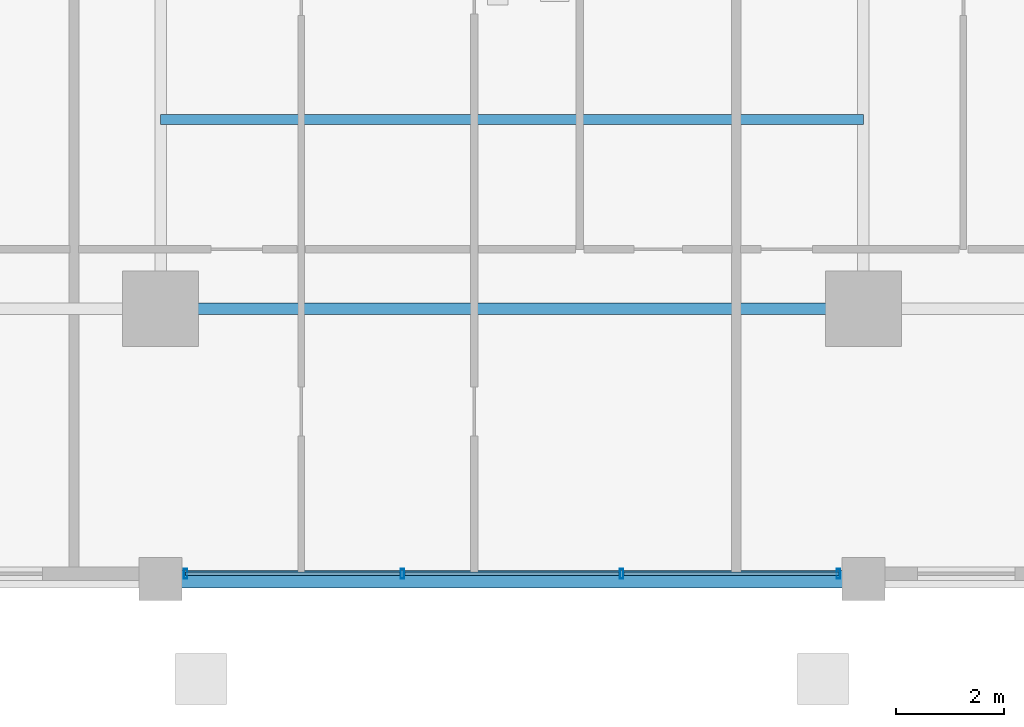
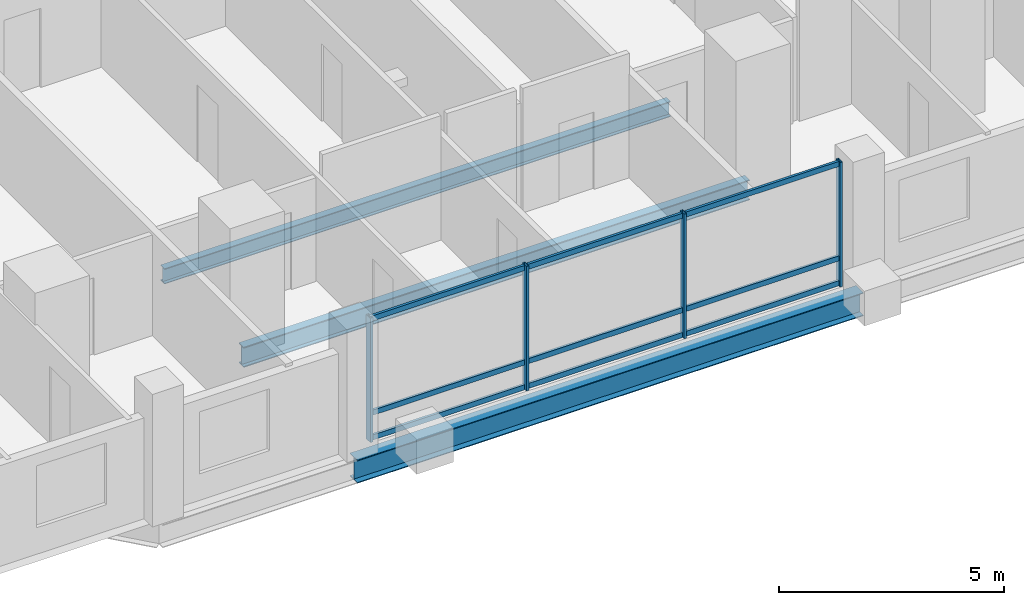
# One storey, part 2 of 24: 13 members, 3 beams, 1 element without a shape of its own.
"""IFC4 building model written with IfcOpenShell, lengths in metres."""

import ifcopenshell
import ifcopenshell.guid

model = None  # the IFC model being written
_history = None  # IfcOwnerHistory: only IFC2X3 demands one
_inside = {}  # id of a spatial element -> (the spatial element, [elements in it])
_under = {}  # id of a project, library or spatial element -> (it, [spatial elements below it])
_declared = {}  # id of a project -> (the project, [libraries it declares])
_typed = {}  # id of a type object -> (the type object, [elements of that type])
_made_of = {}  # id of a material, layer set ... -> (it, [elements and type objects made of it])


def new_model(schema):
    """Start an empty IFC model of exactly this schema.

    Asked for "IFC4X3", IfcOpenShell would pick the latest addendum, in which some entities
    have other attributes; the version numbers below select the first issue.
    IFC2X3 requires an IfcOwnerHistory on every rooted entity: one is made here for all.
    """
    global model, _history
    if schema == "IFC4X3":
        model = ifcopenshell.file(schema_version=(4, 3, 0, 0))
    else:
        model = ifcopenshell.file(schema=schema)
    _inside.clear()
    _under.clear()
    _declared.clear()
    _typed.clear()
    _made_of.clear()
    _history = None
    if model.schema == "IFC2X3":
        org = make("IfcOrganization", Name="unknown")
        user = make(
            "IfcPersonAndOrganization",
            ThePerson=make("IfcPerson", FamilyName="unknown"),
            TheOrganization=org,
        )
        app = make(
            "IfcApplication",
            ApplicationDeveloper=org,
            Version="unknown",
            ApplicationFullName="unknown",
            ApplicationIdentifier="unknown",
        )
        _history = make(
            "IfcOwnerHistory",
            OwningUser=user,
            OwningApplication=app,
            ChangeAction="ADDED",
            CreationDate=0,
        )
    return model


def make(cls, **values):
    """One entity of the class cls with the attributes given. An attribute that is None is left unset."""
    return model.create_entity(
        cls, **{name: value for name, value in values.items() if value is not None}
    )


def rooted(cls, **values):
    """An entity with a GlobalId (a new one), such as an element, a storey or a relation."""
    return make(cls, GlobalId=ifcopenshell.guid.new(), OwnerHistory=_history, **values)


def si_unit(unit_type, name, prefix=None):
    """IfcSIUnit, for example si_unit("LENGTHUNIT", "METRE", prefix="MILLI")."""
    return make("IfcSIUnit", UnitType=unit_type, Prefix=prefix, Name=name)


def assignment(units):
    """IfcUnitAssignment: the units of a project."""
    return None if units is None else make("IfcUnitAssignment", Units=units)


def point(xyz):
    """IfcCartesianPoint."""
    return None if xyz is None else make("IfcCartesianPoint", Coordinates=xyz)


def direction(xyz):
    """IfcDirection."""
    return None if xyz is None else make("IfcDirection", DirectionRatios=xyz)


def frame(location, z_axis=None, x_axis=None):
    """IfcAxis2Placement3D, a coordinate frame: its origin and axes. An axis left out is left unset."""
    return make(
        "IfcAxis2Placement3D",
        Location=point(location),
        Axis=direction(z_axis),
        RefDirection=direction(x_axis),
    )


def frame_2d(location, x_axis=None):
    """IfcAxis2Placement2D, a coordinate frame in the plane: its origin and x axis."""
    return make(
        "IfcAxis2Placement2D", Location=point(location), RefDirection=direction(x_axis)
    )


def origin():
    """The frame at (0, 0, 0) with its axes left unset."""
    return frame((0.0, 0.0, 0.0))


def origin_2d():
    """The frame at (0, 0) in the plane with its x axis left unset."""
    return frame_2d((0.0, 0.0))


def place(relative_to, where):
    """IfcLocalPlacement: puts the frame where relative to a parent placement (None: the world)."""
    return make(
        "IfcLocalPlacement", PlacementRelTo=relative_to, RelativePlacement=where
    )


def context(
    kind, dimensions, precision=None, world=None, true_north=None, identifier=None
):
    """IfcGeometricRepresentationContext, for example the 3D "Model" context."""
    return make(
        "IfcGeometricRepresentationContext",
        ContextIdentifier=identifier,
        ContextType=kind,
        CoordinateSpaceDimension=dimensions,
        Precision=precision,
        WorldCoordinateSystem=world,
        TrueNorth=true_north,
    )


def subcontext(parent, identifier, kind, view, scale=None):
    """IfcGeometricRepresentationSubContext, for example "Body" below "Model"."""
    return make(
        "IfcGeometricRepresentationSubContext",
        ContextIdentifier=identifier,
        ContextType=kind,
        ParentContext=parent,
        TargetScale=scale,
        TargetView=view,
    )


def project(units=None, contexts=None):
    """IfcProject with its units and contexts."""
    return rooted(
        "IfcProject",
        Name="project",
        RepresentationContexts=contexts,
        UnitsInContext=assignment(units),
    )


def spatial(cls, under=None, at=None, **own):
    """A site, building, storey or space (cls), placed at a placement, below another one or the project."""
    s = rooted(cls, ObjectPlacement=at, **own)
    if under is not None:
        _under.setdefault(under.id(), (under, []))[1].append(s)
    return s


def profile(cls, at=None, kind="AREA", **sizes):
    """A parametric profile (cls). Its sizes go by their IFC names, for example OverallWidth=200.0."""
    return make(cls, ProfileType=kind, Position=at, **sizes)


def hollow_rectangle(**sizes):
    """IfcRectangleHollowProfileDef."""
    return profile("IfcRectangleHollowProfileDef", **sizes)


def i_section(**sizes):
    """IfcIShapeProfileDef."""
    return profile("IfcIShapeProfileDef", **sizes)


def extrude(swept, where, along, depth):
    """IfcExtrudedAreaSolid: the profile swept, set in the frame where, extruded along a direction by depth."""
    return make(
        "IfcExtrudedAreaSolid",
        SweptArea=swept,
        Position=where,
        ExtrudedDirection=direction(along),
        Depth=depth,
    )


def shape(context_of_items, identifier, shape_type, items):
    """IfcShapeRepresentation: the items that make up one representation, for example the "Body"."""
    return make(
        "IfcShapeRepresentation",
        ContextOfItems=context_of_items,
        RepresentationIdentifier=identifier,
        RepresentationType=shape_type,
        Items=items,
    )


def material(Name=None, Category=None):
    """IfcMaterial."""
    return make("IfcMaterial", Name=Name, Category=Category)


def layer(
    of_material, thickness, ventilated=None, Name=None, Category=None, Priority=None
):
    """IfcMaterialLayer: one layer of a wall or slab, of a material (None: an air gap)."""
    return make(
        "IfcMaterialLayer",
        Material=of_material,
        LayerThickness=thickness,
        IsVentilated=ventilated,
        Name=Name,
        Category=Category,
        Priority=Priority,
    )


def layer_set(layers, Name=None):
    """IfcMaterialLayerSet."""
    return make("IfcMaterialLayerSet", MaterialLayers=layers, LayerSetName=Name)


def material_profile(
    of_material, cross_section, Name=None, Category=None, Priority=None
):
    """IfcMaterialProfile: a cross section and its material."""
    return make(
        "IfcMaterialProfile",
        Name=Name,
        Material=of_material,
        Profile=cross_section,
        Priority=Priority,
        Category=Category,
    )


def profile_set(profiles, Name=None, composite=None):
    """IfcMaterialProfileSet."""
    return make(
        "IfcMaterialProfileSet",
        Name=Name,
        MaterialProfiles=profiles,
        CompositeProfile=composite,
    )


def made_of(thing, what):
    """Note that an element or type object is made of a material, layer set ...; save() writes the relation."""
    if what is not None:
        _made_of.setdefault(what.id(), (what, []))[1].append(thing)
    return thing


def type_object(cls, material=None, **own):
    """A type object (cls), such as IfcWallType, which elements share."""
    return made_of(rooted(cls, **own), material)


def element(
    cls,
    number,
    at=None,
    inside=None,
    cuts=None,
    type_object=None,
    material=None,
    context=None,
    identifier="Body",
    shape_type=None,
    held_by="IfcProductDefinitionShape",
    body=None,
    shapes=None,
    **own,
):
    """One element of the class cls, such as IfcWall. Its Tag is "e" and its number.

    at: its placement. inside: the storey or other place that contains it. cuts: it is an
    opening in that element (IfcRelVoidsElement). A single representation is given by context,
    identifier, shape_type and body (its items); several are given by shapes. held_by: the class
    of the entity that holds the representations. save() writes the other relations.
    """
    e = rooted(cls, Tag="e%d" % number, ObjectPlacement=at, **own)
    if body is not None:
        shapes = [shape(context, identifier, shape_type, body)]
    if shapes is not None:
        e.Representation = make(held_by, Representations=shapes)
    if inside is not None:
        _inside.setdefault(inside.id(), (inside, []))[1].append(e)
    if cuts is not None:
        rooted(
            "IfcRelVoidsElement", RelatingBuildingElement=cuts, RelatedOpeningElement=e
        )
    if type_object is not None:
        _typed.setdefault(type_object.id(), (type_object, []))[1].append(e)
    return made_of(e, material)


def aggregate(whole, parts):
    """IfcRelAggregates: a whole, such as a stair, and the parts it consists of."""
    return rooted("IfcRelAggregates", RelatingObject=whole, RelatedObjects=parts)


def save(model, path):
    """Write the relations noted so far, then the file.

    IfcRelAggregates (storeys below a building ...), IfcRelContainedInSpatialStructure (elements
    in a storey), IfcRelDefinesByType, IfcRelAssociatesMaterial and IfcRelDeclares: one each for
    every whole, place, type object, material and project.
    """
    for whole, parts in _under.values():
        aggregate(whole, parts)
    for where, things in _inside.values():
        rooted(
            "IfcRelContainedInSpatialStructure",
            RelatedElements=things,
            RelatingStructure=where,
        )
    for kind, things in _typed.values():
        rooted("IfcRelDefinesByType", RelatedObjects=things, RelatingType=kind)
    for what, things in _made_of.values():
        rooted("IfcRelAssociatesMaterial", RelatedObjects=things, RelatingMaterial=what)
    for by, libraries in _declared.values():
        rooted("IfcRelDeclares", RelatingContext=by, RelatedDefinitions=libraries)
    model.write(path)


model = new_model("IFC4")

# Units and contexts
model_context = context("Model", 3, precision=1e-05, world=origin(), true_north=direction((0.0, 1.0)))
body_context = subcontext(model_context, "Body", "Model", "MODEL_VIEW")
ifc_project = project(units=[si_unit("LENGTHUNIT", "METRE"), si_unit("AREAUNIT", "SQUARE_METRE"), si_unit("VOLUMEUNIT", "CUBIC_METRE"), si_unit("PLANEANGLEUNIT", "RADIAN"), si_unit("MASSUNIT", "GRAM", prefix="KILO")], contexts=[model_context])

# Site, building, storey
site_placement = place(None, origin())
site = spatial("IfcSite", under=ifc_project, at=site_placement, CompositionType="ELEMENT")
building_placement = place(site_placement, origin())
building = spatial("IfcBuilding", under=site, at=building_placement, Name="Barlavira Tower and Art Museum", CompositionType="ELEMENT")
storey_placement = place(building_placement, frame((0.0, 0.0, 32.39990234375)))
storey = spatial("IfcBuildingStorey", under=building, at=storey_placement, Name="L06", CompositionType="ELEMENT", Elevation=32.39990234375)

# Curtain wall, members
ifc_material_1 = material(Name="Low-iron coastal laminated glass", Category="glass")
ifc_layer = layer(ifc_material_1, 0.179931640625, Name="Low-iron coastal laminated glass")
ifc_layer_set = layer_set([ifc_layer], Name="Low-iron coastal laminated glass")
curtain_wall_type = type_object("IfcCurtainWallType", Name="Pale-Metal Unitised Curtain Wall Zone 1", PredefinedType="NOTDEFINED", material=ifc_layer_set)
curtain_wall_placement = place(storey_placement, origin())
curtain_wall = element("IfcCurtainWall", 1, at=curtain_wall_placement, inside=storey, type_object=curtain_wall_type, Name="L06 Curtain Wall CW1-L06-S-B3", PredefinedType="NOTDEFINED")
ifc_material_2 = material(Name="Pale anodised aluminium", Category="aluminium")
ifc_material_profile_1 = material_profile(ifc_material_2, hollow_rectangle(XDim=0.06494140625, YDim=0.179931640625, WallThickness=0.00390625, at=origin_2d()), Name="ALU-MULL 65x180x4")
ifc_profile_set_1 = profile_set([ifc_material_profile_1], Name="Pale anodised aluminium")
member_type_1 = type_object("IfcMemberType", Name="Curtain Wall Pale-Metal Mullion 65x180", PredefinedType="MULLION", material=ifc_profile_set_1)
member_1_placement = place(storey_placement, frame((-6.034912109375, -24.89990234375, 0.0), z_axis=(0.0, 0.0, 1.0), x_axis=(1.0, 0.0, 0.0)))
member_1 = element("IfcMember", 2, at=member_1_placement, type_object=member_type_1, Name="CW1-L06-S-B3 Mullion 0", PredefinedType="MULLION", context=body_context, shape_type="SweptSolid", body=[
    extrude(hollow_rectangle(XDim=0.06494140625, YDim=0.179931640625, WallThickness=0.00390625, at=origin_2d()), origin(), (0.0, 0.0, 1.0), 3.380126953125),
])
member_2_placement = place(storey_placement, frame((-2.026611328125, -24.89990234375, 0.0), z_axis=(0.0, 0.0, 1.0), x_axis=(1.0, 0.0, 0.0)))
member_2 = element("IfcMember", 3, at=member_2_placement, type_object=member_type_1, Name="CW1-L06-S-B3 Mullion 1", PredefinedType="MULLION", context=body_context, shape_type="SweptSolid", body=[
    extrude(hollow_rectangle(XDim=0.06494140625, YDim=0.179931640625, WallThickness=0.00390625, at=origin_2d()), origin(), (0.0, 0.0, 1.0), 3.380126953125),
])
member_3_placement = place(storey_placement, frame((2.026611328125, -24.89990234375, 0.0), z_axis=(0.0, 0.0, 1.0), x_axis=(1.0, 0.0, 0.0)))
member_3 = element("IfcMember", 4, at=member_3_placement, type_object=member_type_1, Name="CW1-L06-S-B3 Mullion 2", PredefinedType="MULLION", context=body_context, shape_type="SweptSolid", body=[
    extrude(hollow_rectangle(XDim=0.06494140625, YDim=0.179931640625, WallThickness=0.00390625, at=origin_2d()), origin(), (0.0, 0.0, 1.0), 3.380126953125),
])
member_4_placement = place(storey_placement, frame((6.034912109375, -24.89990234375, 0.0), z_axis=(0.0, 0.0, 1.0), x_axis=(1.0, 0.0, 0.0)))
member_4 = element("IfcMember", 5, at=member_4_placement, type_object=member_type_1, Name="CW1-L06-S-B3 Mullion 3", PredefinedType="MULLION", context=body_context, shape_type="SweptSolid", body=[
    extrude(hollow_rectangle(XDim=0.06494140625, YDim=0.179931640625, WallThickness=0.00390625, at=origin_2d()), origin(), (0.0, 0.0, 1.0), 3.380126953125),
])
ifc_material_profile_2 = material_profile(ifc_material_2, hollow_rectangle(XDim=0.06494140625, YDim=0.139892578125, WallThickness=0.00390625, at=origin_2d()), Name="ALU-TRAN 65x140x4")
ifc_profile_set_2 = profile_set([ifc_material_profile_2], Name="Pale anodised aluminium")
member_type_2 = type_object("IfcMemberType", Name="Curtain Wall Pale-Metal Transom 65x140", PredefinedType="USERDEFINED", material=ifc_profile_set_2)
member_5_placement = place(storey_placement, frame((-6.034912109375, -24.89990234375, 0.070068359375), z_axis=(1.0, 0.0, 0.0), x_axis=(0.0, 1.0, 0.0)))
member_5 = element("IfcMember", 6, at=member_5_placement, type_object=member_type_2, Name="CW1-L06-S-B3 Transom 0.1", ObjectType="TRANSOM", PredefinedType="USERDEFINED", context=body_context, shape_type="SweptSolid", body=[
    extrude(hollow_rectangle(XDim=0.06494140625, YDim=0.139892578125, WallThickness=0.00390625, at=origin_2d()), origin(), (0.0, 0.0, 1.0), 3.963134765625),
])
member_6_placement = place(storey_placement, frame((-6.034912109375, -24.89990234375, 0.744140625), z_axis=(1.0, 0.0, 0.0), x_axis=(0.0, 1.0, 0.0)))
member_6 = element("IfcMember", 7, at=member_6_placement, type_object=member_type_2, Name="CW1-L06-S-B3 Transom 0.2", ObjectType="TRANSOM", PredefinedType="USERDEFINED", context=body_context, shape_type="SweptSolid", body=[
    extrude(hollow_rectangle(XDim=0.06494140625, YDim=0.139892578125, WallThickness=0.00390625, at=origin_2d()), origin(), (0.0, 0.0, 1.0), 3.963134765625),
])
member_7_placement = place(storey_placement, frame((-6.034912109375, -24.89990234375, 3.31005859375), z_axis=(1.0, 0.0, 0.0), x_axis=(0.0, 1.0, 0.0)))
member_7 = element("IfcMember", 8, at=member_7_placement, type_object=member_type_2, Name="CW1-L06-S-B3 Transom 0.3", ObjectType="TRANSOM", PredefinedType="USERDEFINED", context=body_context, shape_type="SweptSolid", body=[
    extrude(hollow_rectangle(XDim=0.06494140625, YDim=0.139892578125, WallThickness=0.00390625, at=origin_2d()), origin(), (0.0, 0.0, 1.0), 3.963134765625),
])
member_8_placement = place(storey_placement, frame((-1.981689453125, -24.89990234375, 0.070068359375), z_axis=(1.0, 0.0, 0.0), x_axis=(0.0, 1.0, 0.0)))
member_8 = element("IfcMember", 9, at=member_8_placement, type_object=member_type_2, Name="CW1-L06-S-B3 Transom 1.1", ObjectType="TRANSOM", PredefinedType="USERDEFINED", context=body_context, shape_type="SweptSolid", body=[
    extrude(hollow_rectangle(XDim=0.06494140625, YDim=0.139892578125, WallThickness=0.00390625, at=origin_2d()), origin(), (0.0, 0.0, 1.0), 3.96337890625),
])
member_9_placement = place(storey_placement, frame((-1.981689453125, -24.89990234375, 0.744140625), z_axis=(1.0, 0.0, 0.0), x_axis=(0.0, 1.0, 0.0)))
member_9 = element("IfcMember", 10, at=member_9_placement, type_object=member_type_2, Name="CW1-L06-S-B3 Transom 1.2", ObjectType="TRANSOM", PredefinedType="USERDEFINED", context=body_context, shape_type="SweptSolid", body=[
    extrude(hollow_rectangle(XDim=0.06494140625, YDim=0.139892578125, WallThickness=0.00390625, at=origin_2d()), origin(), (0.0, 0.0, 1.0), 3.96337890625),
])
member_10_placement = place(storey_placement, frame((-1.981689453125, -24.89990234375, 3.31005859375), z_axis=(1.0, 0.0, 0.0), x_axis=(0.0, 1.0, 0.0)))
member_10 = element("IfcMember", 11, at=member_10_placement, type_object=member_type_2, Name="CW1-L06-S-B3 Transom 1.3", ObjectType="TRANSOM", PredefinedType="USERDEFINED", context=body_context, shape_type="SweptSolid", body=[
    extrude(hollow_rectangle(XDim=0.06494140625, YDim=0.139892578125, WallThickness=0.00390625, at=origin_2d()), origin(), (0.0, 0.0, 1.0), 3.96337890625),
])
member_11_placement = place(storey_placement, frame((2.07177734375, -24.89990234375, 0.070068359375), z_axis=(1.0, 0.0, 0.0), x_axis=(0.0, 1.0, 0.0)))
member_11 = element("IfcMember", 12, at=member_11_placement, type_object=member_type_2, Name="CW1-L06-S-B3 Transom 2.1", ObjectType="TRANSOM", PredefinedType="USERDEFINED", context=body_context, shape_type="SweptSolid", body=[
    extrude(hollow_rectangle(XDim=0.06494140625, YDim=0.139892578125, WallThickness=0.00390625, at=origin_2d()), origin(), (0.0, 0.0, 1.0), 3.963134765625),
])
member_12_placement = place(storey_placement, frame((2.07177734375, -24.89990234375, 0.744140625), z_axis=(1.0, 0.0, 0.0), x_axis=(0.0, 1.0, 0.0)))
member_12 = element("IfcMember", 13, at=member_12_placement, type_object=member_type_2, Name="CW1-L06-S-B3 Transom 2.2", ObjectType="TRANSOM", PredefinedType="USERDEFINED", context=body_context, shape_type="SweptSolid", body=[
    extrude(hollow_rectangle(XDim=0.06494140625, YDim=0.139892578125, WallThickness=0.00390625, at=origin_2d()), origin(), (0.0, 0.0, 1.0), 3.963134765625),
])
member_13_placement = place(storey_placement, frame((2.07177734375, -24.89990234375, 3.31005859375), z_axis=(1.0, 0.0, 0.0), x_axis=(0.0, 1.0, 0.0)))
member_13 = element("IfcMember", 14, at=member_13_placement, type_object=member_type_2, Name="CW1-L06-S-B3 Transom 2.3", ObjectType="TRANSOM", PredefinedType="USERDEFINED", context=body_context, shape_type="SweptSolid", body=[
    extrude(hollow_rectangle(XDim=0.06494140625, YDim=0.139892578125, WallThickness=0.00390625, at=origin_2d()), origin(), (0.0, 0.0, 1.0), 3.963134765625),
])
aggregate(curtain_wall, [member_1, member_2, member_3, member_4, member_5, member_6, member_7, member_8, member_9, member_10, member_11, member_12, member_13])

# Beams
ifc_material_3 = material(Name="Steel S355", Category="steel")
ifc_material_profile_3 = material_profile(ifc_material_3, i_section(OverallWidth=0.327880859375, OverallDepth=0.62890625, WebThickness=0.013916015625, FlangeThickness=0.021484375, at=origin_2d()), Name="W610x174.0")
ifc_profile_set_3 = profile_set([ifc_material_profile_3], Name="Steel S355")
beam_type_1 = type_object("IfcBeamType", Name="Perimeter Spandrel Edge Beam W610x174 Steel S355", PredefinedType="SPANDREL", material=ifc_profile_set_3)
beam_1_placement = place(storey_placement, frame((-6.5, -25.0, -0.534423828125), z_axis=(1.0, 0.0, 0.0), x_axis=(0.0, 1.0, 0.0)))
element("IfcBeam", 15, at=beam_1_placement, inside=storey, type_object=beam_type_1, Name="L06 Spandrel 2", PredefinedType="SPANDREL", context=body_context, shape_type="SweptSolid", body=[
    extrude(i_section(OverallWidth=0.327880859375, OverallDepth=0.62890625, WebThickness=0.013916015625, FlangeThickness=0.021484375, at=origin_2d()), origin(), (0.0, 0.0, 1.0), 13.0),
])
ifc_material_profile_4 = material_profile(ifc_material_3, i_section(OverallWidth=0.180908203125, OverallDepth=0.4169921875, WebThickness=0.010986328125, FlangeThickness=0.018310546875, at=origin_2d()), Name="W410x85.0")
ifc_profile_set_4 = profile_set([ifc_material_profile_4], Name="Steel S355")
beam_type_2 = type_object("IfcBeamType", Name="Zone 1 Composite Floor Joist W410x85 Steel S355", PredefinedType="JOIST", material=ifc_profile_set_4)
beam_2_placement = place(storey_placement, frame((-6.5, -16.5, -0.428466796875), z_axis=(1.0, 0.0, 0.0), x_axis=(0.0, 1.0, 0.0)))
element("IfcBeam", 16, at=beam_2_placement, inside=storey, type_object=beam_type_2, Name="L06 Joist C1", PredefinedType="JOIST", context=body_context, shape_type="SweptSolid", body=[
    extrude(i_section(OverallWidth=0.180908203125, OverallDepth=0.4169921875, WebThickness=0.010986328125, FlangeThickness=0.018310546875, at=origin_2d()), origin(), (0.0, 0.0, 1.0), 13.0),
])
ifc_material_profile_5 = material_profile(ifc_material_3, i_section(OverallWidth=0.214111328125, OverallDepth=0.549072265625, WebThickness=0.0146484375, FlangeThickness=0.023681640625, at=origin_2d()), Name="W530x138.0")
ifc_profile_set_5 = profile_set([ifc_material_profile_5], Name="Steel S355")
beam_type_3 = type_object("IfcBeamType", Name="Zone 1 Primary Floor Girder W530x138 Steel S355", PredefinedType="BEAM", material=ifc_profile_set_5)
beam_3_placement = place(storey_placement, frame((-6.5, -20.0, -0.494384765625), z_axis=(1.0, 0.0, 0.0), x_axis=(0.0, 1.0, 0.0)))
element("IfcBeam", 17, at=beam_3_placement, inside=storey, type_object=beam_type_3, Name="L06 Girder M-S2", PredefinedType="BEAM", context=body_context, shape_type="SweptSolid", body=[
    extrude(i_section(OverallWidth=0.214111328125, OverallDepth=0.549072265625, WebThickness=0.0146484375, FlangeThickness=0.023681640625, at=origin_2d()), origin(), (0.0, 0.0, 1.0), 13.0),
])

save(model, "model.ifc")
